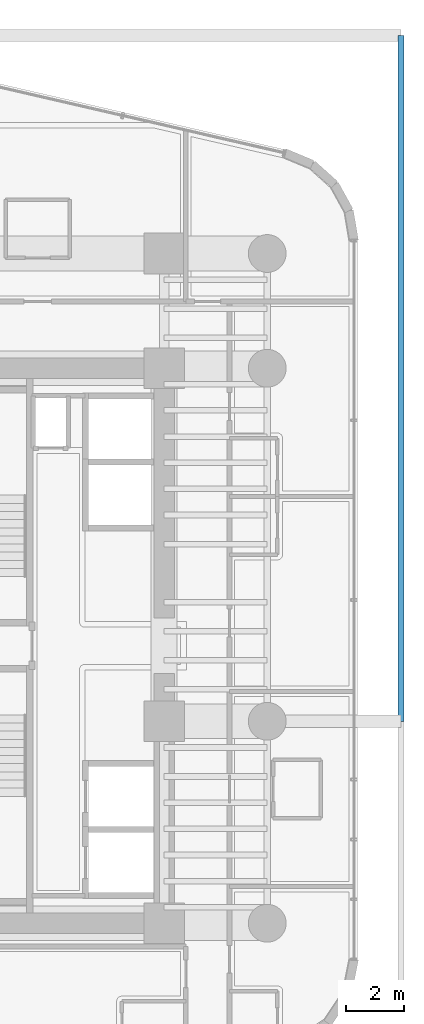
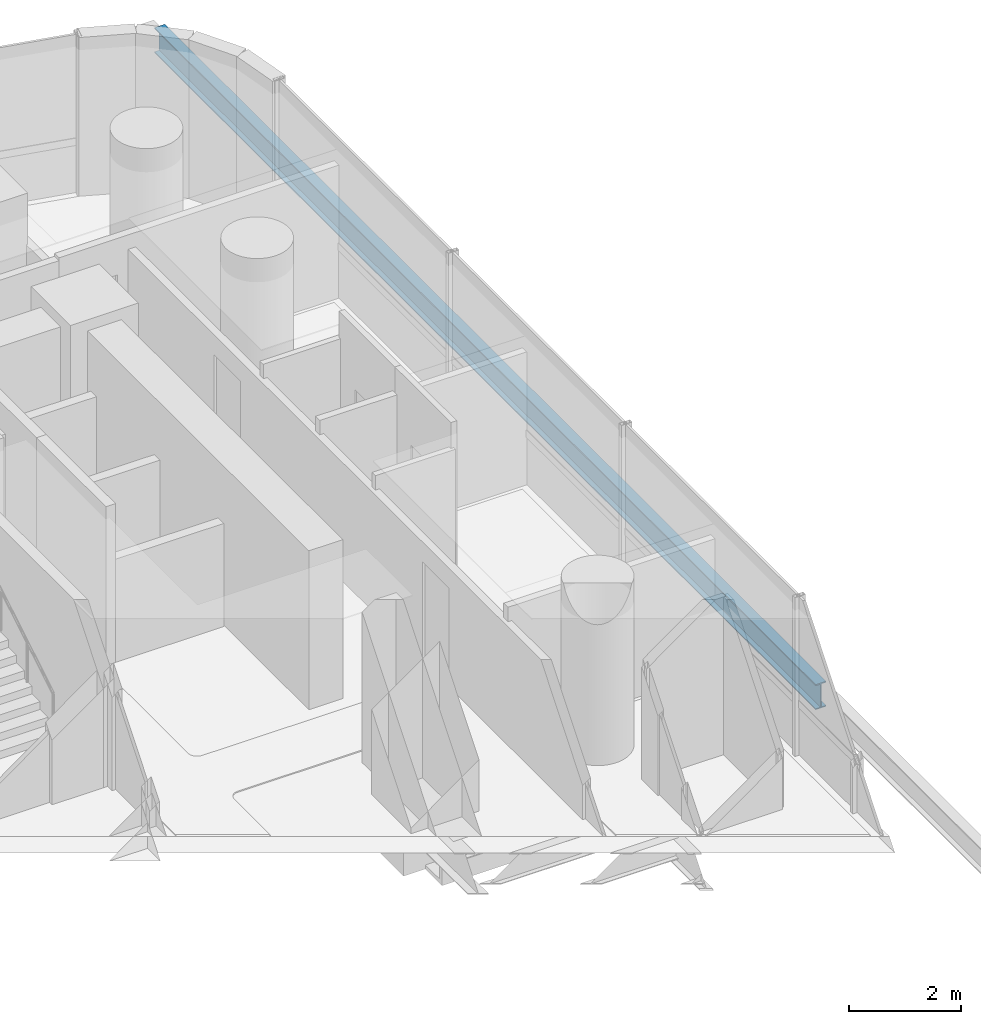
# One storey, part 34 of 50: 1 beam.
"""IFC4 building model written with IfcOpenShell, lengths in metres."""

from ifc_helpers import new_model, si_unit, direction, frame, origin, origin_2d, place, context, subcontext, project, spatial, i_section, extrude, source, transform, mapped, material, material_profile, profile_set, type_object, element, save


model = new_model("IFC4")

# Units and contexts
model_context = context("Model", 3, precision=1e-05, world=origin(), true_north=direction((0.0, 1.0)))
body_context = subcontext(model_context, "Body", "Model", "MODEL_VIEW")
ifc_project = project(units=[si_unit("LENGTHUNIT", "METRE"), si_unit("AREAUNIT", "SQUARE_METRE"), si_unit("VOLUMEUNIT", "CUBIC_METRE"), si_unit("PLANEANGLEUNIT", "RADIAN"), si_unit("MASSUNIT", "GRAM", prefix="KILO")], contexts=[model_context])

# Site, building, storey
site_placement = place(None, origin())
site = spatial("IfcSite", under=ifc_project, at=site_placement, CompositionType="ELEMENT")
building_placement = place(site_placement, origin())
building = spatial("IfcBuilding", under=site, at=building_placement, Name="Valdorenza Pilgrim Sanctuary Tower", CompositionType="ELEMENT")
storey_placement = place(building_placement, frame((0.0, 0.0, 26.0)))
storey = spatial("IfcBuildingStorey", under=building, at=storey_placement, Name="L05", CompositionType="ELEMENT", Elevation=26.0)

# Beam
ifc_material = material(Name="Steel ASTM A992 Grade 50", Category="steel")
ifc_material_profile = material_profile(ifc_material, i_section(OverallWidth=0.214111328125, OverallDepth=0.549072265625, WebThickness=0.0146484375, FlangeThickness=0.023681640625, at=origin_2d()), Name="W21X93")
ifc_profile_set = profile_set([ifc_material_profile], Name="Steel ASTM A992 Grade 50")
beam_type = type_object("IfcBeamType", Name="STR-BM-SPN-W21A", PredefinedType="SPANDREL", material=ifc_profile_set)
shared_shape = source(origin(), body_context, "Body", "SweptSolid", [
    extrude(i_section(OverallWidth=0.214111328125, OverallDepth=0.549072265625, WebThickness=0.0146484375, FlangeThickness=0.023681640625, at=origin_2d()), origin(), (0.0, 0.0, 1.0), 23.60009765625),
])
beam_placement = place(storey_placement, frame((33.0, -2.60009765625, -0.514404296875), z_axis=(0.0, 1.0, 0.0), x_axis=(-1.0, 0.0, 0.0)))
element("IfcBeam", 1, at=beam_placement, inside=storey, type_object=beam_type, Name="L05 Floor Girder POD-SPN-EN", PredefinedType="SPANDREL", context=body_context, shape_type="MappedRepresentation", body=[
    mapped(shared_shape, transform((0.0, 0.0, 0.0), x_axis=(1.0, 0.0, 0.0), y_axis=(0.0, 1.0, 0.0), z_axis=(0.0, 0.0, 1.0), scale=1.0)),
])

save(model, "model.ifc")
